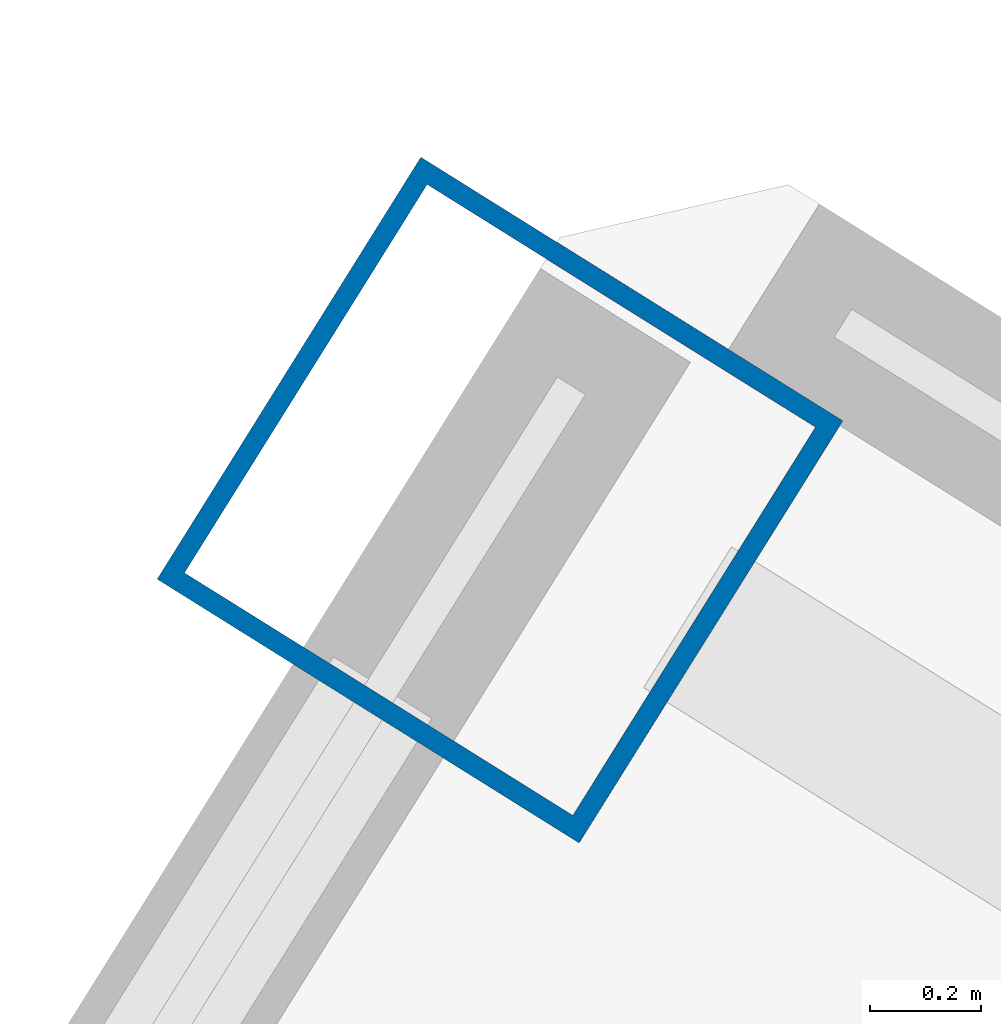
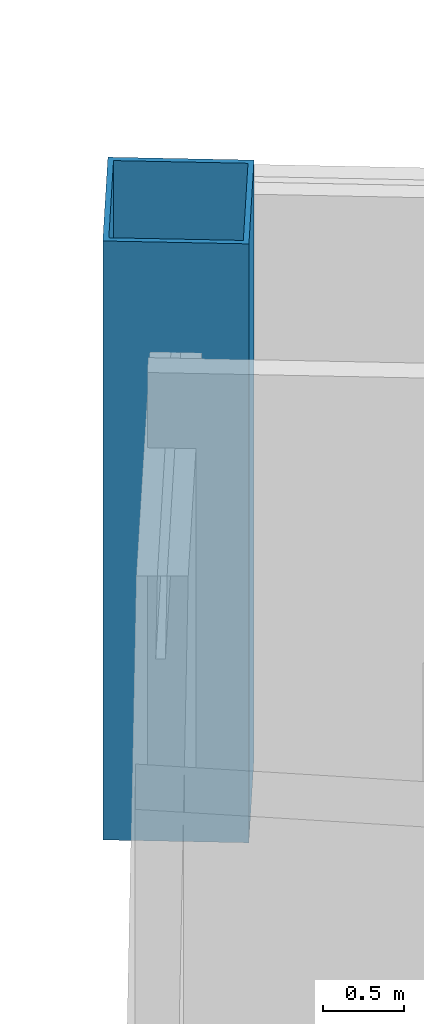
# One storey, part 3 of 18: 1 column.
"""IFC4 building model written with IfcOpenShell, lengths in metres."""

from ifc_helpers import new_model, si_unit, direction, frame, origin, origin_2d, place, context, subcontext, project, spatial, hollow_rectangle, extrude, source, transform, mapped, material, material_profile, profile_set, type_object, element, save


model = new_model("IFC4")

# Units and contexts
model_context = context("Model", 3, precision=1e-05, world=origin(), true_north=direction((0.0, 1.0)))
body_context = subcontext(model_context, "Body", "Model", "MODEL_VIEW")
ifc_project = project(units=[si_unit("LENGTHUNIT", "METRE"), si_unit("AREAUNIT", "SQUARE_METRE"), si_unit("VOLUMEUNIT", "CUBIC_METRE"), si_unit("PLANEANGLEUNIT", "RADIAN"), si_unit("MASSUNIT", "GRAM", prefix="KILO")], contexts=[model_context])

# Site, building, storey
site_placement = place(None, origin())
site = spatial("IfcSite", under=ifc_project, at=site_placement, CompositionType="ELEMENT")
building_placement = place(site_placement, origin())
building = spatial("IfcBuilding", under=site, at=building_placement, Name="Tlacorven Tower", CompositionType="ELEMENT")
storey_placement = place(building_placement, frame((0.0, 0.0, 136.199951171875)))
storey = spatial("IfcBuildingStorey", under=building, at=storey_placement, Name="L34", CompositionType="ELEMENT", Elevation=136.199951171875)

# Column
ifc_material = material(Name="Steel S460M", Category="steel")
ifc_material_profile = material_profile(ifc_material, hollow_rectangle(XDim=0.89990234375, YDim=0.89990234375, WallThickness=0.035888671875, at=origin_2d()), Name="BOX 900X900X36")
ifc_profile_set = profile_set([ifc_material_profile], Name="Steel S460M")
column_type = type_object("IfcColumnType", Name="COL-TWR-S2", PredefinedType="COLUMN", material=ifc_profile_set)
shared_shape = source(origin(), body_context, "Body", "SweptSolid", [
    extrude(hollow_rectangle(XDim=0.89990234375, YDim=0.89990234375, WallThickness=0.035888671875, at=origin_2d()), origin(), (0.0, 0.0, 1.0), 4.5),
])
column_placement = place(storey_placement, frame((13.6455078125, 41.42578125, 0.0), z_axis=(0.0, 0.0, 1.0), x_axis=(-0.848048096156, 0.529919264233, 0.0)))
element("IfcColumn", 1, at=column_placement, inside=storey, type_object=column_type, Name="L34 column COL-L34-W6-1", PredefinedType="COLUMN", context=body_context, shape_type="MappedRepresentation", body=[
    mapped(shared_shape, transform((0.0, 0.0, 0.0), scale=1.0)),
])

save(model, "model.ifc")
